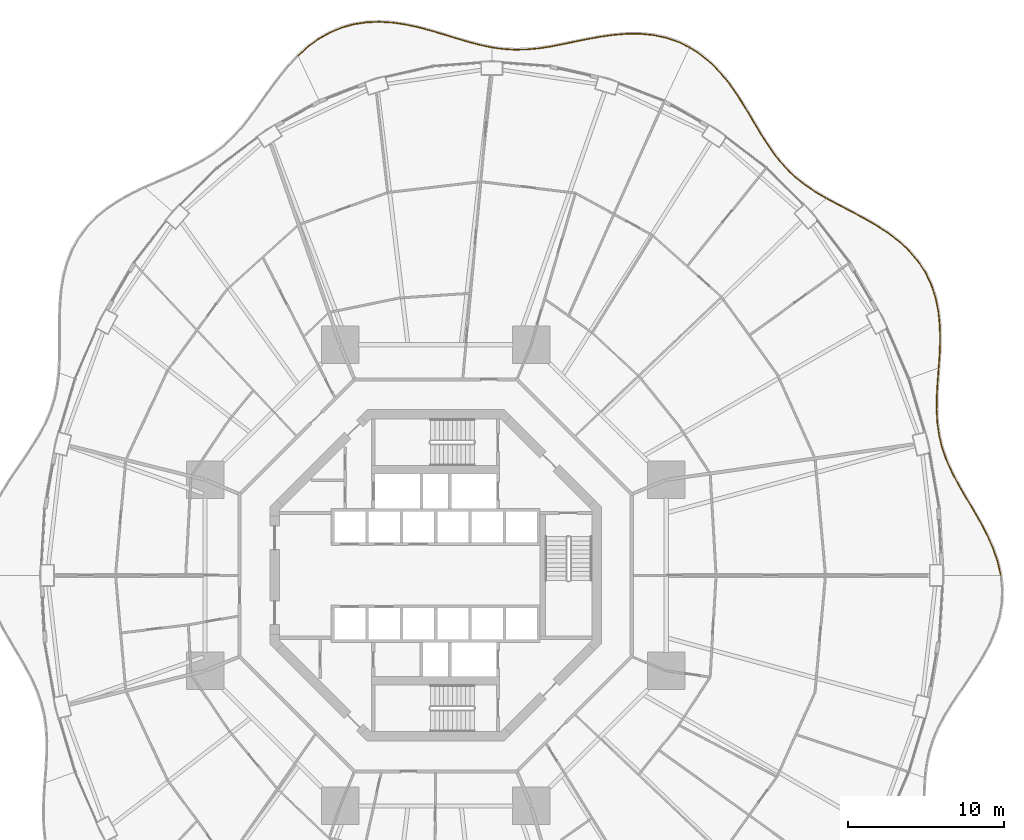
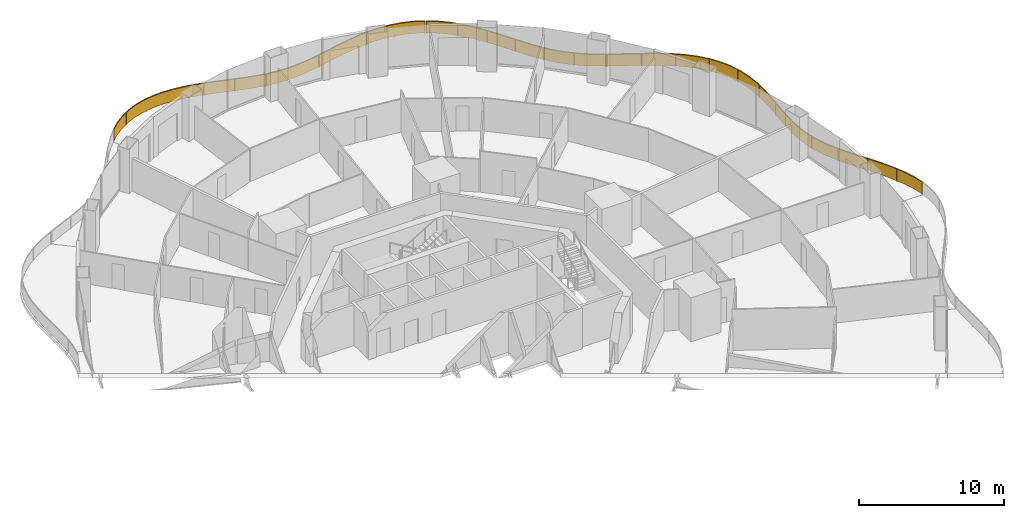
# One storey, part 23 of 23: 5 railings.
"""IFC4 building model written with IfcOpenShell, lengths in metres."""

from ifc_helpers import new_model, si_unit, direction, frame, origin, origin_2d, place, context, subcontext, project, spatial, polyline, rectangle, outline, extrude, material, type_object, element, save


model = new_model("IFC4")

# Units and contexts
model_context = context("Model", 3, precision=1e-05, world=origin(), true_north=direction((0.0, 1.0)))
body_context = subcontext(model_context, "Body", "Model", "MODEL_VIEW")
ifc_project = project(units=[si_unit("LENGTHUNIT", "METRE"), si_unit("AREAUNIT", "SQUARE_METRE"), si_unit("VOLUMEUNIT", "CUBIC_METRE"), si_unit("PLANEANGLEUNIT", "RADIAN"), si_unit("MASSUNIT", "GRAM", prefix="KILO")], contexts=[model_context])

# Site, building, storey
site_placement = place(None, origin())
site = spatial("IfcSite", under=ifc_project, at=site_placement, CompositionType="ELEMENT")
building_placement = place(site_placement, origin())
building = spatial("IfcBuilding", under=site, at=building_placement, Name="Nagisa Residences", CompositionType="ELEMENT")
storey_placement = place(building_placement, frame((0.0, 0.0, 56.60009765625)))
storey = spatial("IfcBuildingStorey", under=building, at=storey_placement, Name="L13", CompositionType="ELEMENT", Elevation=56.60009765625)

# Railings
ifc_material = material(Name="Stainless steel 316", Category="steel")
railing_type = type_object("IfcRailingType", Name="BALCONY GUARD 1100", PredefinedType="BALUSTRADE", material=ifc_material)
railing_1_placement = place(storey_placement, frame((36.2119140625, 0.037841796875, 0.0)))
element("IfcRailing", 1, at=railing_1_placement, inside=storey, type_object=railing_type, Name="guard:L13:bal00-0", PredefinedType="BALUSTRADE", context=body_context, shape_type="SweptSolid", body=[
    extrude(outline(polyline([(-0.21533203125, 0.829833984375), (-0.0244140625, -0.005615234375), (0.0244140625, 0.005615234375), (-0.1669921875, 0.843505859375), (-0.46728515625, 1.71533203125), (-0.847412109375, 2.570068359375), (-1.284912109375, 3.4052734375), (-1.75439453125, 4.220947265625), (-2.227294921875, 5.005126953125), (-2.68115234375, 5.789794921875), (-3.092529296875, 6.56640625), (-3.44287109375, 7.3427734375), (-3.7197265625, 8.1259765625), (-3.91357421875, 8.910400390625), (-4.031982421875, 9.729248046875), (-4.07861328125, 10.57373046875), (-4.0673828125, 11.4462890625), (-4.016357421875, 12.345703125), (-3.94970703125, 13.2236328125), (-3.99951171875, 13.2275390625), (-4.066162109375, 12.34912109375), (-4.1171875, 11.4482421875), (-4.12890625, 10.57275390625), (-4.081787109375, 9.724365234375), (-3.962890625, 8.900634765625), (-3.767578125, 8.11181640625), (-3.4892578125, 7.32421875), (-3.137451171875, 6.54443359375), (-2.72509765625, 5.765380859375), (-2.270263671875, 4.979736328125), (-1.79736328125, 4.195556640625), (-1.328857421875, 3.38134765625), (-0.892333984375, 2.548095703125), (-0.513671875, 1.69677734375), (-0.21533203125, 0.829833984375)])), frame((0.0, 0.0, 1.050048828125)), (0.0, 0.0, 1.0), 0.050048828125),
    extrude(outline(polyline([(-0.197998046875, 0.834716796875), (-0.0068359375, -0.00146484375), (0.0068359375, 0.00146484375), (-0.184326171875, 0.838623046875), (-0.48388671875, 1.708740234375), (-0.863525390625, 2.56201171875), (-1.30078125, 3.396728515625), (-1.769775390625, 4.2119140625), (-2.24267578125, 4.99609375), (-2.697021484375, 5.781005859375), (-3.108642578125, 6.55859375), (-3.45947265625, 7.336181640625), (-3.737060546875, 8.120849609375), (-3.931396484375, 8.906982421875), (-4.0498046875, 9.7275390625), (-4.0966796875, 10.573486328125), (-4.085205078125, 11.447021484375), (-4.0341796875, 12.346923828125), (-3.967529296875, 13.22509765625), (-3.981689453125, 13.22607421875), (-4.04833984375, 12.347900390625), (-4.099365234375, 11.447509765625), (-4.11083984375, 10.572998046875), (-4.06396484375, 9.72607421875), (-3.945068359375, 8.904052734375), (-3.750244140625, 8.116943359375), (-3.47265625, 7.330810546875), (-3.121337890625, 6.55224609375), (-2.709228515625, 5.774169921875), (-2.2548828125, 4.98876953125), (-1.781982421875, 4.20458984375), (-1.31298828125, 3.389892578125), (-0.876220703125, 2.55615234375), (-0.4970703125, 1.703369140625), (-0.197998046875, 0.834716796875)])), frame((0.0, 0.0, 0.06005859375)), (0.0, 0.0, 1.0), 0.989990234375),
    extrude(rectangle(XDim=0.0400390625, YDim=0.0400390625, at=origin_2d()), origin(), (0.0, 0.0, 1.0), 1.050048828125),
    extrude(rectangle(XDim=0.0400390625, YDim=0.0400390625, at=origin_2d()), frame((-0.724853515625, 2.233154296875, 0.0)), (0.0, 0.0, 1.0), 1.050048828125),
    extrude(rectangle(XDim=0.0400390625, YDim=0.0400390625, at=origin_2d()), frame((-1.835693359375, 4.307373046875, 0.0)), (0.0, 0.0, 1.0), 1.050048828125),
    extrude(rectangle(XDim=0.0400390625, YDim=0.0400390625, at=origin_2d()), frame((-3.006103515625, 6.349853515625, 0.0)), (0.0, 0.0, 1.0), 1.050048828125),
    extrude(rectangle(XDim=0.0400390625, YDim=0.0400390625, at=origin_2d()), frame((-3.84814453125, 8.541259765625, 0.0)), (0.0, 0.0, 1.0), 1.050048828125),
    extrude(rectangle(XDim=0.0400390625, YDim=0.0400390625, at=origin_2d()), frame((-4.099853515625, 10.875, 0.0)), (0.0, 0.0, 1.0), 1.050048828125),
    extrude(rectangle(XDim=0.0400390625, YDim=0.0400390625, at=origin_2d()), frame((-3.974609375, 13.2255859375, 0.0)), (0.0, 0.0, 1.0), 1.050048828125),
])
railing_2_placement = place(storey_placement, frame((32.244140625, 13.33935546875, 0.0)))
element("IfcRailing", 2, at=railing_2_placement, inside=storey, type_object=railing_type, Name="guard:L13:bal01-0", PredefinedType="BALUSTRADE", context=body_context, shape_type="SweptSolid", body=[
    extrude(outline(polyline([(0.03369140625, 0.865966796875), (-0.02490234375, 0.001708984375), (0.02490234375, -0.001708984375), (0.08349609375, 0.863525390625), (0.113037109375, 1.780517578125), (0.090576171875, 2.694091796875), (-0.001953125, 3.593017578125), (-0.180419921875, 4.465087890625), (-0.44873046875, 5.286865234375), (-0.82470703125, 6.073974609375), (-1.301513671875, 6.8056640625), (-1.87255859375, 7.477783203125), (-2.5263671875, 8.089111328125), (-3.2392578125, 8.629638671875), (-4.009765625, 9.130859375), (-4.809326171875, 9.590576171875), (-5.61767578125, 10.020751953125), (-6.415771484375, 10.436279296875), (-7.14892578125, 10.830322265625), (-7.1728515625, 10.786376953125), (-6.439208984375, 10.391845703125), (-5.64111328125, 9.976318359375), (-4.833740234375, 9.546630859375), (-4.0361328125, 9.08837890625), (-3.26806640625, 8.588623046875), (-2.55859375, 8.051025390625), (-1.90869140625, 7.443115234375), (-1.341552734375, 6.77587890625), (-0.86865234375, 6.049560546875), (-0.4951171875, 5.268310546875), (-0.228759765625, 4.452392578125), (-0.05126953125, 3.585205078125), (0.040771484375, 2.690673828125), (0.062744140625, 1.780517578125), (0.03369140625, 0.865966796875)])), frame((0.0, 0.0, 1.050048828125)), (0.0, 0.0, 1.0), 0.050048828125),
    extrude(outline(polyline([(0.051513671875, 0.864990234375), (-0.007080078125, 0.00048828125), (0.007080078125, -0.00048828125), (0.065673828125, 0.864501953125), (0.094970703125, 1.780517578125), (0.07275390625, 2.69287109375), (-0.019775390625, 3.590087890625), (-0.19775390625, 4.46044921875), (-0.46533203125, 5.2802734375), (-0.840576171875, 6.065185546875), (-1.31591796875, 6.794921875), (-1.885498046875, 7.46533203125), (-2.537841796875, 8.075439453125), (-3.249755859375, 8.61474609375), (-4.019287109375, 9.115478515625), (-4.818115234375, 9.57470703125), (-5.626220703125, 10.004638671875), (-6.42431640625, 10.420166015625), (-7.157470703125, 10.814453125), (-7.164306640625, 10.80224609375), (-6.4306640625, 10.407958984375), (-5.632568359375, 9.992431640625), (-4.824951171875, 9.5625), (-4.026611328125, 9.103759765625), (-3.257568359375, 8.603515625), (-2.547119140625, 8.064697265625), (-1.895751953125, 7.45556640625), (-1.3271484375, 6.78662109375), (-0.852783203125, 6.058349609375), (-0.478515625, 5.27490234375), (-0.21142578125, 4.45703125), (-0.033447265625, 3.588134765625), (0.05859375, 2.69189453125), (0.080810546875, 1.780517578125), (0.051513671875, 0.864990234375)])), frame((0.0, 0.0, 0.06005859375)), (0.0, 0.0, 1.0), 0.989990234375),
    extrude(rectangle(XDim=0.0400390625, YDim=0.0400390625, at=origin_2d()), origin(), (0.0, 0.0, 1.0), 1.050048828125),
    extrude(rectangle(XDim=0.0400390625, YDim=0.0400390625, at=origin_2d()), frame((0.073486328125, 2.369873046875, 0.0)), (0.0, 0.0, 1.0), 1.050048828125),
    extrude(rectangle(XDim=0.0400390625, YDim=0.0400390625, at=origin_2d()), frame((-0.285400390625, 4.70654296875, 0.0)), (0.0, 0.0, 1.0), 1.050048828125),
    extrude(rectangle(XDim=0.0400390625, YDim=0.0400390625, at=origin_2d()), frame((-1.3427734375, 6.815673828125, 0.0)), (0.0, 0.0, 1.0), 1.050048828125),
    extrude(rectangle(XDim=0.0400390625, YDim=0.0400390625, at=origin_2d()), frame((-3.047607421875, 8.452880859375, 0.0)), (0.0, 0.0, 1.0), 1.050048828125),
    extrude(rectangle(XDim=0.0400390625, YDim=0.0400390625, at=origin_2d()), frame((-5.064453125, 9.69775390625, 0.0)), (0.0, 0.0, 1.0), 1.050048828125),
    extrude(rectangle(XDim=0.0400390625, YDim=0.0400390625, at=origin_2d()), frame((-7.160888671875, 10.808349609375, 0.0)), (0.0, 0.0, 1.0), 1.050048828125),
])
railing_3_placement = place(storey_placement, frame((25.01806640625, 24.18212890625, 0.0)))
element("IfcRailing", 3, at=railing_3_placement, inside=storey, type_object=railing_type, Name="guard:L13:bal02-0", PredefinedType="BALUSTRADE", context=body_context, shape_type="SweptSolid", body=[
    extrude(outline(polyline([(-0.67431640625, 0.367431640625), (-0.0126953125, -0.021484375), (0.0126953125, 0.021484375), (-0.6474609375, 0.409912109375), (-1.300537109375, 0.848876953125), (-1.905029296875, 1.325439453125), (-2.461669921875, 1.84716796875), (-2.97412109375, 2.418701171875), (-3.438232421875, 3.0302734375), (-3.88818359375, 3.69921875), (-4.324462890625, 4.4072265625), (-4.760498046875, 5.1435546875), (-5.20947265625, 5.893798828125), (-5.670654296875, 6.631103515625), (-6.182861328125, 7.356201171875), (-6.740966796875, 8.041015625), (-7.351318359375, 8.66748046875), (-8.015869140625, 9.22021484375), (-8.693115234375, 9.659912109375), (-8.720458984375, 9.617919921875), (-8.045654296875, 9.1796875), (-7.385498046875, 8.630859375), (-6.778564453125, 8.0078125), (-6.222900390625, 7.325927734375), (-5.712158203125, 6.603271484375), (-5.251953125, 5.867431640625), (-4.803466796875, 5.1181640625), (-4.367431640625, 4.38134765625), (-3.93017578125, 3.671875), (-3.478759765625, 3.0009765625), (-3.0126953125, 2.386962890625), (-2.497314453125, 1.81201171875), (-1.937744140625, 1.287353515625), (-1.329833984375, 0.808349609375), (-0.67431640625, 0.367431640625)])), frame((0.0, 0.0, 1.050048828125)), (0.0, 0.0, 1.0), 0.050048828125),
    extrude(outline(polyline([(-0.66455078125, 0.3828125), (-0.003662109375, -0.006103515625), (0.003662109375, 0.006103515625), (-0.6572265625, 0.39453125), (-1.31103515625, 0.834228515625), (-1.916748046875, 1.311767578125), (-2.474365234375, 1.83447265625), (-2.988037109375, 2.4072265625), (-3.452880859375, 3.019775390625), (-3.9033203125, 3.689453125), (-4.33984375, 4.39794921875), (-4.77587890625, 5.134521484375), (-5.224853515625, 5.88427734375), (-5.685546875, 6.62109375), (-6.197265625, 7.34521484375), (-6.754638671875, 8.029052734375), (-7.36376953125, 8.654296875), (-8.026611328125, 9.20556640625), (-8.702880859375, 9.644775390625), (-8.710693359375, 9.633056640625), (-8.034912109375, 9.1943359375), (-7.373046875, 8.64404296875), (-6.764892578125, 8.019775390625), (-6.20849609375, 7.3369140625), (-5.697265625, 6.61328125), (-5.236572265625, 5.876953125), (-4.7880859375, 5.127197265625), (-4.35205078125, 4.390625), (-3.9150390625, 3.681640625), (-3.464111328125, 3.011474609375), (-2.998779296875, 2.3984375), (-2.484619140625, 1.82470703125), (-1.926025390625, 1.301025390625), (-1.3193359375, 0.822998046875), (-0.66455078125, 0.3828125)])), frame((0.0, 0.0, 0.06005859375)), (0.0, 0.0, 1.0), 0.989990234375),
    extrude(rectangle(XDim=0.0400390625, YDim=0.0400390625, at=origin_2d()), origin(), (0.0, 0.0, 1.0), 1.050048828125),
    extrude(rectangle(XDim=0.0400390625, YDim=0.0400390625, at=origin_2d()), frame((-1.818603515625, 1.225341796875, 0.0)), (0.0, 0.0, 1.0), 1.050048828125),
    extrude(rectangle(XDim=0.0400390625, YDim=0.0400390625, at=origin_2d()), frame((-3.314208984375, 2.825439453125, 0.0)), (0.0, 0.0, 1.0), 1.050048828125),
    extrude(rectangle(XDim=0.0400390625, YDim=0.0400390625, at=origin_2d()), frame((-4.507568359375, 4.66748046875, 0.0)), (0.0, 0.0, 1.0), 1.050048828125),
    extrude(rectangle(XDim=0.0400390625, YDim=0.0400390625, at=origin_2d()), frame((-5.646484375, 6.545166015625, 0.0)), (0.0, 0.0, 1.0), 1.050048828125),
    extrude(rectangle(XDim=0.0400390625, YDim=0.0400390625, at=origin_2d()), frame((-6.99951171875, 8.2705078125, 0.0)), (0.0, 0.0, 1.0), 1.050048828125),
    extrude(rectangle(XDim=0.0400390625, YDim=0.0400390625, at=origin_2d()), frame((-8.706787109375, 9.638916015625, 0.0)), (0.0, 0.0, 1.0), 1.050048828125),
])
railing_4_placement = place(storey_placement, frame((16.243896484375, 33.859130859375, 0.0)))
element("IfcRailing", 4, at=railing_4_placement, inside=storey, type_object=railing_type, Name="guard:L13:bal03-0", PredefinedType="BALUSTRADE", context=body_context, shape_type="SweptSolid", body=[
    extrude(outline(polyline([(-0.703857421875, 0.313232421875), (-0.010986328125, -0.0224609375), (0.010986328125, 0.0224609375), (-0.684814453125, 0.359619140625), (-1.465087890625, 0.624267578125), (-2.2783203125, 0.7958984375), (-3.115234375, 0.87890625), (-3.966552734375, 0.88232421875), (-4.805908203125, 0.8125), (-5.658935546875, 0.695556640625), (-6.501220703125, 0.54345703125), (-7.327880859375, 0.37451171875), (-8.135498046875, 0.207275390625), (-8.90576171875, 0.056396484375), (-9.674560546875, -0.05810546875), (-10.428466796875, -0.126708984375), (-11.171142578125, -0.140869140625), (-11.9091796875, -0.096923828125), (-12.605712890625, -0.000244140625), (-12.612548828125, -0.050048828125), (-11.9140625, -0.146728515625), (-11.172119140625, -0.191162109375), (-10.425537109375, -0.176513671875), (-9.668701171875, -0.10791015625), (-8.8974609375, 0.007080078125), (-8.125732421875, 0.158447265625), (-7.317626953125, 0.32568359375), (-6.491943359375, 0.494140625), (-5.651123046875, 0.646240234375), (-4.800537109375, 0.7626953125), (-3.964599609375, 0.83203125), (-3.11767578125, 0.8291015625), (-2.2861328125, 0.74658203125), (-1.478271484375, 0.575927734375), (-0.703857421875, 0.313232421875)])), frame((0.0, 0.0, 1.050048828125)), (0.0, 0.0, 1.0), 0.050048828125),
    extrude(outline(polyline([(-0.697021484375, 0.329833984375), (-0.003173828125, -0.00634765625), (0.003173828125, 0.00634765625), (-0.691650390625, 0.343017578125), (-1.4697265625, 0.60693359375), (-2.28125, 0.778076171875), (-3.1162109375, 0.861083984375), (-3.9658203125, 0.8642578125), (-4.803955078125, 0.794677734375), (-5.656005859375, 0.677734375), (-6.497802734375, 0.525634765625), (-7.32421875, 0.35693359375), (-8.132080078125, 0.189697265625), (-8.90283203125, 0.03857421875), (-9.67236328125, -0.076171875), (-10.427490234375, -0.14453125), (-11.17138671875, -0.158935546875), (-11.910888671875, -0.11474609375), (-12.608154296875, -0.018310546875), (-12.610107421875, -0.031982421875), (-11.912353515625, -0.12890625), (-11.171875, -0.173095703125), (-10.426513671875, -0.15869140625), (-9.6708984375, -0.08984375), (-8.900390625, 0.02490234375), (-8.129150390625, 0.176025390625), (-7.3212890625, 0.34326171875), (-6.495361328125, 0.511962890625), (-5.654052734375, 0.6640625), (-4.802490234375, 0.780517578125), (-3.96533203125, 0.85009765625), (-3.11669921875, 0.846923828125), (-2.283203125, 0.764404296875), (-1.4736328125, 0.59326171875), (-0.697021484375, 0.329833984375)])), frame((0.0, 0.0, 0.06005859375)), (0.0, 0.0, 1.0), 0.989990234375),
    extrude(rectangle(XDim=0.0400390625, YDim=0.0400390625, at=origin_2d()), origin(), (0.0, 0.0, 1.0), 1.050048828125),
    extrude(rectangle(XDim=0.0400390625, YDim=0.0400390625, at=origin_2d()), frame((-2.00830078125, 0.71337890625, 0.0)), (0.0, 0.0, 1.0), 1.050048828125),
    extrude(rectangle(XDim=0.0400390625, YDim=0.0400390625, at=origin_2d()), frame((-4.138427734375, 0.8427734375, 0.0)), (0.0, 0.0, 1.0), 1.050048828125),
    extrude(rectangle(XDim=0.0400390625, YDim=0.0400390625, at=origin_2d()), frame((-6.259033203125, 0.561767578125, 0.0)), (0.0, 0.0, 1.0), 1.050048828125),
    extrude(rectangle(XDim=0.0400390625, YDim=0.0400390625, at=origin_2d()), frame((-8.357666015625, 0.138427734375, 0.0)), (0.0, 0.0, 1.0), 1.050048828125),
    extrude(rectangle(XDim=0.0400390625, YDim=0.0400390625, at=origin_2d()), frame((-10.476318359375, -0.152587890625, 0.0)), (0.0, 0.0, 1.0), 1.050048828125),
    extrude(rectangle(XDim=0.0400390625, YDim=0.0400390625, at=origin_2d()), frame((-12.609130859375, -0.025146484375, 0.0)), (0.0, 0.0, 1.0), 1.050048828125),
])
railing_5_placement = place(storey_placement, frame((3.565673828125, 33.847412109375, 0.0)))
element("IfcRailing", 5, at=railing_5_placement, inside=storey, type_object=railing_type, Name="guard:L13:bal04-0", PredefinedType="BALUSTRADE", context=body_context, shape_type="SweptSolid", body=[
    extrude(outline(polyline([(-0.7109375, 0.122802734375), (-0.005126953125, -0.0244140625), (0.005126953125, 0.0244140625), (-0.69970703125, 0.171630859375), (-1.45947265625, 0.3701171875), (-2.23583984375, 0.599609375), (-3.031005859375, 0.843994140625), (-3.844970703125, 1.085693359375), (-4.658203125, 1.30810546875), (-5.5009765625, 1.487548828125), (-6.3505859375, 1.609375), (-7.198486328125, 1.658447265625), (-8.037109375, 1.622314453125), (-8.8408203125, 1.498291015625), (-9.634033203125, 1.2724609375), (-10.393310546875, 0.949951171875), (-11.112060546875, 0.5361328125), (-11.787353515625, 0.0400390625), (-12.38037109375, -0.49609375), (-12.3466796875, -0.533203125), (-11.755615234375, 0.0009765625), (-11.084716796875, 0.494140625), (-10.370849609375, 0.905029296875), (-9.617431640625, 1.22509765625), (-8.830078125, 1.449462890625), (-8.0322265625, 1.572509765625), (-7.198974609375, 1.608154296875), (-6.35546875, 1.5595703125), (-5.509765625, 1.438232421875), (-4.669921875, 1.25927734375), (-3.858642578125, 1.037353515625), (-3.045654296875, 0.796142578125), (-2.25048828125, 0.5517578125), (-1.47265625, 0.32177734375), (-0.7109375, 0.122802734375)])), frame((0.0, 0.0, 1.050048828125)), (0.0, 0.0, 1.0), 0.050048828125),
    extrude(outline(polyline([(-0.70703125, 0.140380859375), (-0.00146484375, -0.0068359375), (0.00146484375, 0.0068359375), (-0.70361328125, 0.154052734375), (-1.464111328125, 0.352783203125), (-2.2412109375, 0.582275390625), (-3.036376953125, 0.82666015625), (-3.849853515625, 1.068359375), (-4.662353515625, 1.29052734375), (-5.504150390625, 1.4697265625), (-6.352294921875, 1.591552734375), (-7.19873046875, 1.640380859375), (-8.035400390625, 1.6044921875), (-8.8369140625, 1.480712890625), (-9.628173828125, 1.25537109375), (-10.38525390625, 0.933837890625), (-11.102294921875, 0.52099609375), (-11.77587890625, 0.02587890625), (-12.3681640625, -0.509521484375), (-12.35888671875, -0.519775390625), (-11.76708984375, 0.01513671875), (-11.094482421875, 0.50927734375), (-10.37890625, 0.921142578125), (-9.623291015625, 1.2421875), (-8.833984375, 1.467041015625), (-8.033935546875, 1.59033203125), (-7.19873046875, 1.626220703125), (-6.353759765625, 1.577392578125), (-5.506591796875, 1.4560546875), (-4.665771484375, 1.27685546875), (-3.853759765625, 1.0546875), (-3.040283203125, 0.8134765625), (-2.2451171875, 0.569091796875), (-1.468017578125, 0.339111328125), (-0.70703125, 0.140380859375)])), frame((0.0, 0.0, 0.06005859375)), (0.0, 0.0, 1.0), 0.989990234375),
    extrude(rectangle(XDim=0.0400390625, YDim=0.0400390625, at=origin_2d()), origin(), (0.0, 0.0, 1.0), 1.050048828125),
    extrude(rectangle(XDim=0.0400390625, YDim=0.0400390625, at=origin_2d()), frame((-2.123291015625, 0.540283203125, 0.0)), (0.0, 0.0, 1.0), 1.050048828125),
    extrude(rectangle(XDim=0.0400390625, YDim=0.0400390625, at=origin_2d()), frame((-4.22509765625, 1.16357421875, 0.0)), (0.0, 0.0, 1.0), 1.050048828125),
    extrude(rectangle(XDim=0.0400390625, YDim=0.0400390625, at=origin_2d()), frame((-6.37353515625, 1.585693359375, 0.0)), (0.0, 0.0, 1.0), 1.050048828125),
    extrude(rectangle(XDim=0.0400390625, YDim=0.0400390625, at=origin_2d()), frame((-8.5576171875, 1.516845703125, 0.0)), (0.0, 0.0, 1.0), 1.050048828125),
    extrude(rectangle(XDim=0.0400390625, YDim=0.0400390625, at=origin_2d()), frame((-10.614013671875, 0.7939453125, 0.0)), (0.0, 0.0, 1.0), 1.050048828125),
    extrude(rectangle(XDim=0.0400390625, YDim=0.0400390625, at=origin_2d()), frame((-12.363525390625, -0.5146484375, 0.0)), (0.0, 0.0, 1.0), 1.050048828125),
])

save(model, "model.ifc")
